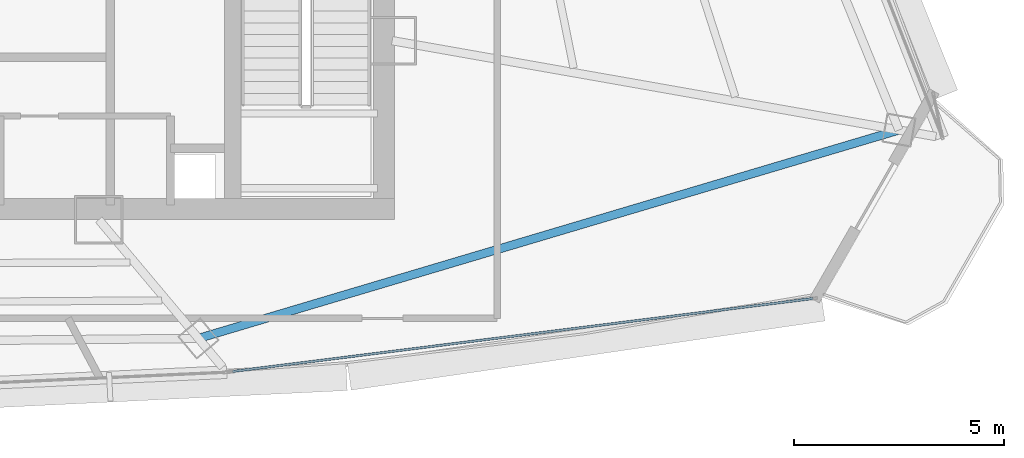
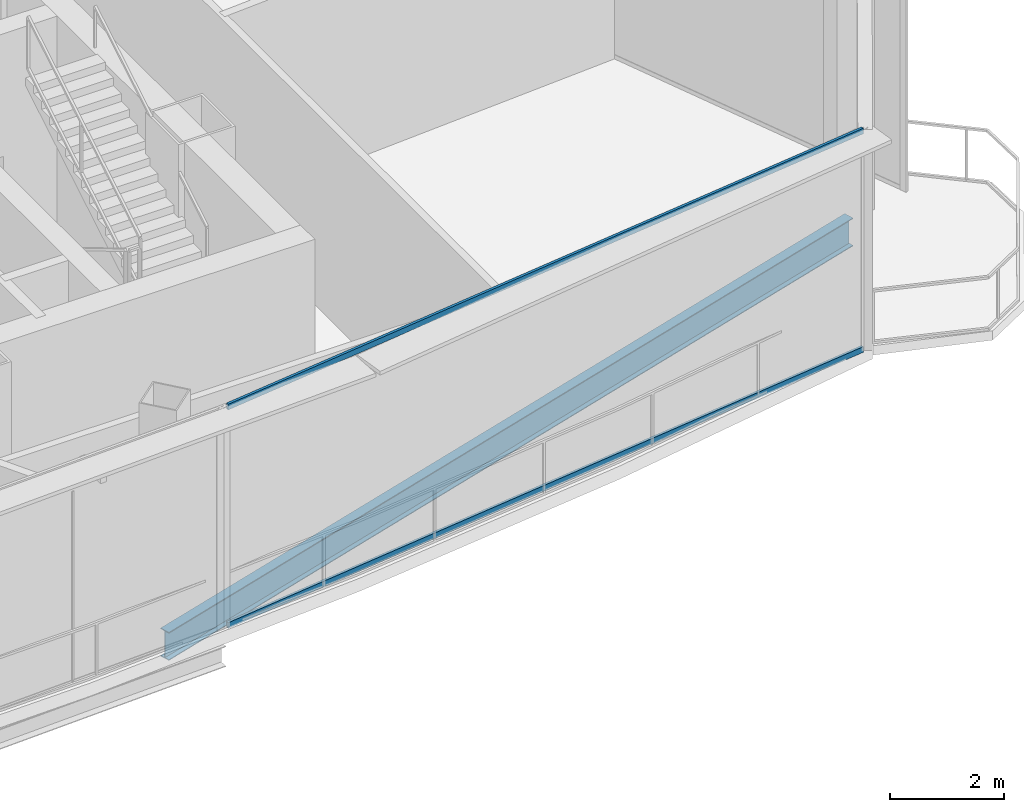
# One storey, part 11 of 29: 2 members, 1 beam, 1 element without a shape of its own.
"""IFC4 building model written with IfcOpenShell, lengths in metres."""

from ifc_helpers import new_model, si_unit, direction, frame, origin, origin_2d, place, context, subcontext, project, spatial, hollow_rectangle, i_section, extrude, source, transform, mapped, material, layer, layer_set, material_profile, profile_set, type_object, element, aggregate, save


model = new_model("IFC4")

# Units and contexts
model_context = context("Model", 3, precision=1e-05, world=origin(), true_north=direction((0.0, 1.0)))
body_context = subcontext(model_context, "Body", "Model", "MODEL_VIEW")
ifc_project = project(units=[si_unit("LENGTHUNIT", "METRE"), si_unit("AREAUNIT", "SQUARE_METRE"), si_unit("VOLUMEUNIT", "CUBIC_METRE"), si_unit("PLANEANGLEUNIT", "RADIAN"), si_unit("MASSUNIT", "GRAM", prefix="KILO"), si_unit("THERMODYNAMICTEMPERATUREUNIT", "KELVIN"), si_unit("POWERUNIT", "WATT")], contexts=[model_context])

# Site, building, storey
site_placement = place(None, origin())
site = spatial("IfcSite", under=ifc_project, at=site_placement, CompositionType="ELEMENT")
building_placement = place(site_placement, origin())
building = spatial("IfcBuilding", under=site, at=building_placement, Name="Yunzhuo Pagoda Commons", CompositionType="ELEMENT")
storey_placement = place(building_placement, frame((0.0, 0.0, 366.760009765625)))
storey = spatial("IfcBuildingStorey", under=building, at=storey_placement, Name="L92", CompositionType="ELEMENT", Elevation=366.760009765625)

# Beam
ifc_material_1 = material(Name="Structural steel Q355B", Category="steel")
ifc_material_profile_1 = material_profile(ifc_material_1, i_section(OverallWidth=0.199951171875, OverallDepth=0.60009765625, WebThickness=0.010986328125, FlangeThickness=0.01708984375, at=origin_2d()), Name="Structural steel Q355B")
ifc_profile_set_1 = profile_set([ifc_material_profile_1], Name="Structural steel Q355B")
beam_type = type_object("IfcBeamType", Name="B-RG3 Beam HN 600x200x11x17", PredefinedType="BEAM", material=ifc_profile_set_1)
shared_shape_1 = source(origin(), body_context, "Body", "SweptSolid", [
    extrude(i_section(OverallWidth=0.199951171875, OverallDepth=0.60009765625, WebThickness=0.010986328125, FlangeThickness=0.01708984375, at=origin_2d()), origin(), (0.0, 0.0, 1.0), 17.407470703125),
])
beam_placement = place(storey_placement, frame((55.785400390625, 24.421630859375, -0.580078125), z_axis=(0.958484984609, 0.285143006717, 0.0), x_axis=(-0.285143006717, 0.958484984609, 0.0)))
element("IfcBeam", 1, at=beam_placement, inside=storey, type_object=beam_type, Name="L92 column-ring beam 4", PredefinedType="BEAM", context=body_context, shape_type="MappedRepresentation", body=[
    mapped(shared_shape_1, transform((0.0, 0.0, 0.0), scale=1.0)),
])

# Curtain wall, members
ifc_material_2 = material(Name="Anodized aluminium 6063-T6", Category="aluminium")
ifc_layer = layer(ifc_material_2, 0.139892578125)
ifc_layer_set = layer_set([ifc_layer], Name="Anodized aluminium 6063-T6")
curtain_wall_type = type_object("IfcCurtainWallType", Name="CW-HI High-Zone Ribbon Curtain Wall", PredefinedType="NOTDEFINED", material=ifc_layer_set)
curtain_wall_placement = place(storey_placement, origin())
curtain_wall = element("IfcCurtainWall", 2, at=curtain_wall_placement, inside=storey, type_object=curtain_wall_type, Name="L92 curtain wall CW-L92-F1B5", PredefinedType="NOTDEFINED")
ifc_material_profile_2 = material_profile(ifc_material_2, hollow_rectangle(XDim=0.054931640625, YDim=0.1201171875, WallThickness=0.00341796875, at=origin_2d()), Name="Anodized aluminium 6063-T6")
ifc_profile_set_2 = profile_set([ifc_material_profile_2], Name="Anodized aluminium 6063-T6")
member_type = type_object("IfcMemberType", Name="CW-HI-T Transom RHS 120x55x3.5", PredefinedType="USERDEFINED", material=ifc_profile_set_2)
shared_shape_2 = source(origin(), body_context, "Body", "SweptSolid", [
    extrude(hollow_rectangle(XDim=0.054931640625, YDim=0.1201171875, WallThickness=0.00341796875, at=origin_2d()), origin(), (0.0, 0.0, 1.0), 13.94140625),
])
member_1_placement = place(storey_placement, frame((56.59423828125, 23.63427734375, 0.027587890625), z_axis=(0.99219413306, 0.124702856111, 0.0), x_axis=(-0.124702856111, 0.99219413306, 0.0)))
member_1 = element("IfcMember", 3, at=member_1_placement, type_object=member_type, Name="CW transom 1.1", ObjectType="TRANSOM", PredefinedType="USERDEFINED", context=body_context, shape_type="MappedRepresentation", body=[
    mapped(shared_shape_2, transform((0.0, 0.0, 0.0), scale=1.0)),
])
member_2_placement = place(storey_placement, frame((56.59423828125, 23.63427734375, 4.6923828125), z_axis=(0.99219413306, 0.124702856111, 0.0), x_axis=(-0.124702856111, 0.99219413306, 0.0)))
member_2 = element("IfcMember", 4, at=member_2_placement, type_object=member_type, Name="CW transom 1.2", ObjectType="TRANSOM", PredefinedType="USERDEFINED", context=body_context, shape_type="MappedRepresentation", body=[
    mapped(shared_shape_2, transform((0.0, 0.0, 0.0), scale=1.0)),
])
aggregate(curtain_wall, [member_1, member_2])

save(model, "model.ifc")
